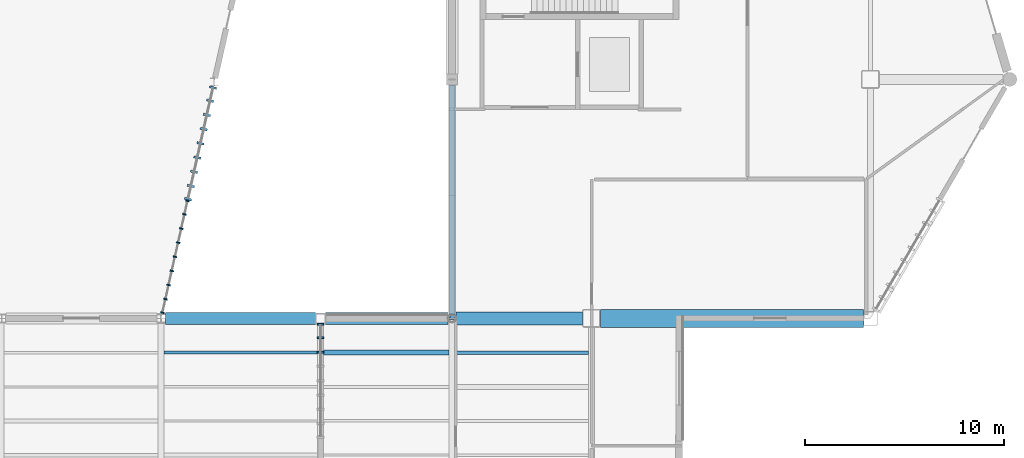
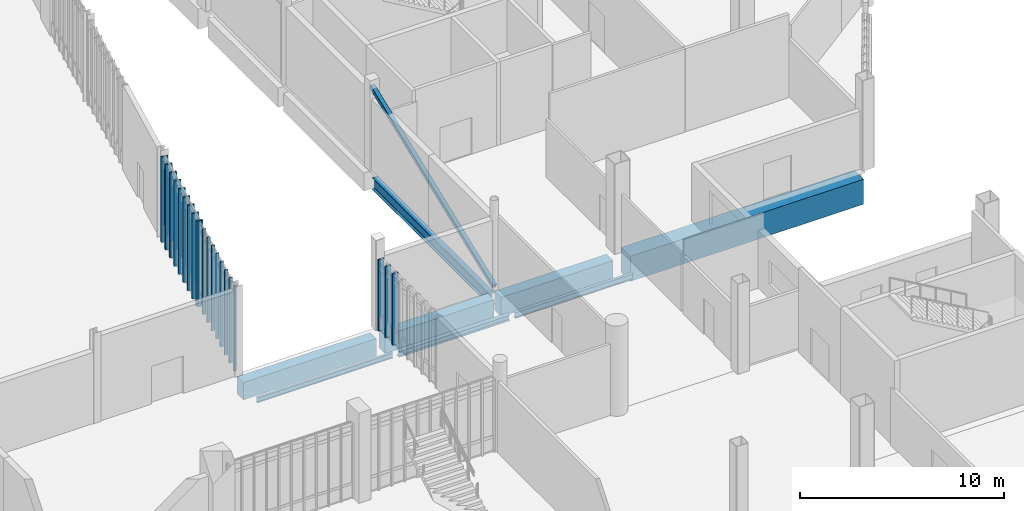
# One storey, part 28 of 111: 22 members, 8 beams, 3 elements without a shape of their own.
"""IFC4 building model written with IfcOpenShell, lengths in metres."""

from ifc_helpers import new_model, si_unit, direction, frame, origin, origin_2d, place, context, subcontext, project, spatial, rectangle, hollow_rectangle, i_section, extrude, material, material_profile, profile_set, type_object, element, aggregate, save


model = new_model("IFC4")

# Units and contexts
model_context = context("Model", 3, precision=1e-05, world=origin(), true_north=direction((0.0, 1.0)))
body_context = subcontext(model_context, "Body", "Model", "MODEL_VIEW")
ifc_project = project(units=[si_unit("LENGTHUNIT", "METRE"), si_unit("AREAUNIT", "SQUARE_METRE"), si_unit("VOLUMEUNIT", "CUBIC_METRE"), si_unit("PLANEANGLEUNIT", "RADIAN"), si_unit("MASSUNIT", "GRAM", prefix="KILO")], contexts=[model_context])

# Site, building, storey
site_placement = place(None, origin())
site = spatial("IfcSite", under=ifc_project, at=site_placement, CompositionType="ELEMENT")
building_placement = place(site_placement, origin())
building = spatial("IfcBuilding", under=site, at=building_placement, Name="Larkvane Passage Sports Hall", CompositionType="ELEMENT")
storey_placement = place(building_placement, origin())
storey = spatial("IfcBuildingStorey", under=building, at=storey_placement, Name="L00", CompositionType="ELEMENT", Elevation=0.0)

# Beams
ifc_material_1 = material(Name="Concrete C50/60", Category="concrete")
ifc_material_profile_1 = material_profile(ifc_material_1, rectangle(XDim=0.60009765625, YDim=1.050048828125, at=origin_2d()), Name="RC-BM-600x1050")
ifc_profile_set_1 = profile_set([ifc_material_profile_1], Name="Concrete C50/60")
beam_type_1 = type_object("IfcBeamType", Name="BM-RC-600x1050", PredefinedType="BEAM", material=ifc_profile_set_1)
beam_1_placement = place(storey_placement, frame((110.20849609375, 63.60009765625, -0.945068359375), z_axis=(1.0, 0.0, 0.0), x_axis=(0.0, 1.0, 0.0)))
element("IfcBeam", 1, at=beam_1_placement, inside=storey, type_object=beam_type_1, Name="Girder BM5-X-L00-H-0049", PredefinedType="BEAM", context=body_context, shape_type="SweptSolid", body=[
    extrude(rectangle(XDim=0.60009765625, YDim=1.050048828125, at=origin_2d()), origin(), (0.0, 0.0, 1.0), 7.54150390625),
])
ifc_material_profile_2 = material_profile(ifc_material_1, rectangle(XDim=0.60009765625, YDim=1.10009765625, at=origin_2d()), Name="RC-BM-600x1100")
ifc_profile_set_2 = profile_set([ifc_material_profile_2], Name="Concrete C50/60")
beam_type_2 = type_object("IfcBeamType", Name="BM-RC-600x1100", PredefinedType="BEAM", material=ifc_profile_set_2)
beam_2_placement = place(storey_placement, frame((118.25, 63.60009765625, -0.969970703125), z_axis=(1.0, 0.0, 0.0), x_axis=(0.0, 1.0, 0.0)))
element("IfcBeam", 2, at=beam_2_placement, inside=storey, type_object=beam_type_2, Name="Girder BM5-X-L00-H-0050", PredefinedType="BEAM", context=body_context, shape_type="SweptSolid", body=[
    extrude(rectangle(XDim=0.60009765625, YDim=1.10009765625, at=origin_2d()), origin(), (0.0, 0.0, 1.0), 6.146728515625),
])
ifc_material_profile_3 = material_profile(ifc_material_1, rectangle(XDim=0.64990234375, YDim=1.14990234375, at=origin_2d()), Name="RC-BM-650x1150")
ifc_profile_set_3 = profile_set([ifc_material_profile_3], Name="Concrete C50/60")
beam_type_3 = type_object("IfcBeamType", Name="BM-RC-650x1150", PredefinedType="BEAM", material=ifc_profile_set_3)
beam_3_placement = place(storey_placement, frame((124.80322265625, 63.60009765625, -0.9951171875), z_axis=(1.0, 0.0, 0.0), x_axis=(0.0, 1.0, 0.0)))
element("IfcBeam", 3, at=beam_3_placement, inside=storey, type_object=beam_type_3, Name="Girder BM5-X-L00-H-0051", PredefinedType="BEAM", context=body_context, shape_type="SweptSolid", body=[
    extrude(rectangle(XDim=0.64990234375, YDim=1.14990234375, at=origin_2d()), origin(), (0.0, 0.0, 1.0), 6.3466796875),
])
ifc_material_2 = material(Name="Steel S460N", Category="steel")
ifc_material_profile_4 = material_profile(ifc_material_2, i_section(OverallWidth=0.300048828125, OverallDepth=0.699951171875, WebThickness=0.012939453125, FlangeThickness=0.02392578125, FilletRadius=0.02197265625, at=origin_2d()), Name="H-700x300x13x24")
ifc_profile_set_4 = profile_set([ifc_material_profile_4], Name="Steel S460N")
beam_type_4 = type_object("IfcBeamType", Name="BM-STL-H700", PredefinedType="BEAM", material=ifc_profile_set_4)
beam_4_placement = place(storey_placement, frame((124.60009765625, 63.80322265625, -0.77001953125), z_axis=(0.0, 1.0, 0.0), x_axis=(-1.0, 0.0, 0.0)))
element("IfcBeam", 4, at=beam_4_placement, inside=storey, type_object=beam_type_4, Name="Girder BM5-Y-L00-17-0127", PredefinedType="BEAM", context=body_context, shape_type="SweptSolid", body=[
    extrude(i_section(OverallWidth=0.300048828125, OverallDepth=0.699951171875, WebThickness=0.012939453125, FlangeThickness=0.02392578125, FilletRadius=0.02197265625, at=origin_2d()), origin(), (0.0, 0.0, 1.0), 11.521728515625),
])

# Curtain wall, members
ifc_material_3 = material(Name="Thermally broken aluminium and low-E glazing", Category="aluminium")
curtain_wall_type_1 = type_object("IfcCurtainWallType", Name="CW-CLINIC", PredefinedType="USERDEFINED", material=ifc_material_3)
curtain_wall_1_placement = place(storey_placement, origin())
curtain_wall_1 = element("IfcCurtainWall", 5, at=curtain_wall_1_placement, inside=storey, type_object=curtain_wall_type_1, Name="Curtain wall CW5-L00-019", ObjectType="UNITISED CURTAIN WALL", PredefinedType="USERDEFINED")
ifc_material_4 = material(Name="Anodised aluminium 6063-T6", Category="aluminium")
ifc_material_profile_5 = material_profile(ifc_material_4, rectangle(XDim=0.10009765625, YDim=0.320068359375, at=origin_2d()), Name="ALU-MUL-100x320")
ifc_profile_set_5 = profile_set([ifc_material_profile_5], Name="Anodised aluminium 6063-T6")
member_type_1 = type_object("IfcMemberType", Name="CW-MUL-100x320", PredefinedType="MULLION", material=ifc_profile_set_5)
member_1_placement = place(storey_placement, frame((118.0, 61.91552734375, 0.0), z_axis=(0.0, 0.0, 1.0), x_axis=(0.0, 1.0, 0.0)))
member_1 = element("IfcMember", 6, at=member_1_placement, type_object=member_type_1, Name="CW-05 mullion 7", PredefinedType="MULLION", context=body_context, shape_type="SweptSolid", body=[
    extrude(rectangle(XDim=0.10009765625, YDim=0.320068359375, at=origin_2d()), origin(), (0.0, 0.0, 1.0), 4.26806640625),
])
member_2_placement = place(storey_placement, frame((118.0, 62.634765625, 0.0), z_axis=(0.0, 0.0, 1.0), x_axis=(0.0, 1.0, 0.0)))
member_2 = element("IfcMember", 7, at=member_2_placement, type_object=member_type_1, Name="CW-05 mullion 8", PredefinedType="MULLION", context=body_context, shape_type="SweptSolid", body=[
    extrude(rectangle(XDim=0.10009765625, YDim=0.320068359375, at=origin_2d()), origin(), (0.0, 0.0, 1.0), 4.26806640625),
])
member_3_placement = place(storey_placement, frame((118.0, 63.303955078125, 0.0), z_axis=(0.0, 0.0, 1.0), x_axis=(0.0, 1.0, 0.0)))
member_3 = element("IfcMember", 8, at=member_3_placement, type_object=member_type_1, Name="CW-05 mullion 9", PredefinedType="MULLION", context=body_context, shape_type="SweptSolid", body=[
    extrude(rectangle(XDim=0.10009765625, YDim=0.320068359375, at=origin_2d()), origin(), (0.0, 0.0, 1.0), 4.26806640625),
])
aggregate(curtain_wall_1, [member_1, member_2, member_3])

curtain_wall_2_placement = place(storey_placement, origin())
curtain_wall_2 = element("IfcCurtainWall", 9, at=curtain_wall_2_placement, inside=storey, type_object=curtain_wall_type_1, Name="Curtain wall CW5-L00-015", ObjectType="UNITISED CURTAIN WALL", PredefinedType="USERDEFINED")
ifc_material_profile_6 = material_profile(ifc_material_4, rectangle(XDim=0.110107421875, YDim=0.360107421875, at=origin_2d()), Name="ALU-MUL-110x360")
ifc_profile_set_6 = profile_set([ifc_material_profile_6], Name="Anodised aluminium 6063-T6")
member_type_2 = type_object("IfcMemberType", Name="CW-MUL-110x360", PredefinedType="MULLION", material=ifc_profile_set_6)
member_4_placement = place(storey_placement, frame((112.60400390625, 75.187744140625, 0.0), z_axis=(0.0, 0.0, 1.0), x_axis=(-0.219243647747, -0.975670140428, 0.0)))
member_4 = element("IfcMember", 10, at=member_4_placement, type_object=member_type_2, Name="CW-05 mullion 1", PredefinedType="MULLION", context=body_context, shape_type="SweptSolid", body=[
    extrude(rectangle(XDim=0.110107421875, YDim=0.360107421875, at=origin_2d()), origin(), (0.0, 0.0, 1.0), 5.10009765625),
])
member_5_placement = place(storey_placement, frame((112.455810546875, 74.528076171875, 0.0), z_axis=(0.0, 0.0, 1.0), x_axis=(-0.219243647747, -0.975670140428, 0.0)))
member_5 = element("IfcMember", 11, at=member_5_placement, type_object=member_type_2, Name="CW-05 mullion 2", PredefinedType="MULLION", context=body_context, shape_type="SweptSolid", body=[
    extrude(rectangle(XDim=0.110107421875, YDim=0.360107421875, at=origin_2d()), origin(), (0.0, 0.0, 1.0), 5.10009765625),
])
member_6_placement = place(storey_placement, frame((112.29541015625, 73.814697265625, 0.0), z_axis=(0.0, 0.0, 1.0), x_axis=(-0.219243647747, -0.975670140428, 0.0)))
member_6 = element("IfcMember", 12, at=member_6_placement, type_object=member_type_2, Name="CW-05 mullion 3", PredefinedType="MULLION", context=body_context, shape_type="SweptSolid", body=[
    extrude(rectangle(XDim=0.110107421875, YDim=0.360107421875, at=origin_2d()), origin(), (0.0, 0.0, 1.0), 5.10009765625),
])
member_7_placement = place(storey_placement, frame((112.13525390625, 73.1015625, 0.0), z_axis=(0.0, 0.0, 1.0), x_axis=(-0.219243647747, -0.975670140428, 0.0)))
member_7 = element("IfcMember", 13, at=member_7_placement, type_object=member_type_2, Name="CW-05 mullion 4", PredefinedType="MULLION", context=body_context, shape_type="SweptSolid", body=[
    extrude(rectangle(XDim=0.110107421875, YDim=0.360107421875, at=origin_2d()), origin(), (0.0, 0.0, 1.0), 5.10009765625),
])
member_8_placement = place(storey_placement, frame((111.974853515625, 72.38818359375, 0.0), z_axis=(0.0, 0.0, 1.0), x_axis=(-0.219243647747, -0.975670140428, 0.0)))
member_8 = element("IfcMember", 14, at=member_8_placement, type_object=member_type_2, Name="CW-05 mullion 5", PredefinedType="MULLION", context=body_context, shape_type="SweptSolid", body=[
    extrude(rectangle(XDim=0.110107421875, YDim=0.360107421875, at=origin_2d()), origin(), (0.0, 0.0, 1.0), 5.10009765625),
])
member_9_placement = place(storey_placement, frame((111.814697265625, 71.675048828125, 0.0), z_axis=(0.0, 0.0, 1.0), x_axis=(-0.219243647747, -0.975670140428, 0.0)))
member_9 = element("IfcMember", 15, at=member_9_placement, type_object=member_type_2, Name="CW-05 mullion 6", PredefinedType="MULLION", context=body_context, shape_type="SweptSolid", body=[
    extrude(rectangle(XDim=0.110107421875, YDim=0.360107421875, at=origin_2d()), origin(), (0.0, 0.0, 1.0), 5.10009765625),
])
member_10_placement = place(storey_placement, frame((111.654296875, 70.9619140625, 0.0), z_axis=(0.0, 0.0, 1.0), x_axis=(-0.219243647747, -0.975670140428, 0.0)))
member_10 = element("IfcMember", 16, at=member_10_placement, type_object=member_type_2, Name="CW-05 mullion 7", PredefinedType="MULLION", context=body_context, shape_type="SweptSolid", body=[
    extrude(rectangle(XDim=0.110107421875, YDim=0.360107421875, at=origin_2d()), origin(), (0.0, 0.0, 1.0), 5.10009765625),
])
member_11_placement = place(storey_placement, frame((111.494140625, 70.24853515625, 0.0), z_axis=(0.0, 0.0, 1.0), x_axis=(-0.219243647747, -0.975670140428, 0.0)))
member_11 = element("IfcMember", 17, at=member_11_placement, type_object=member_type_2, Name="CW-05 mullion 8", PredefinedType="MULLION", context=body_context, shape_type="SweptSolid", body=[
    extrude(rectangle(XDim=0.110107421875, YDim=0.360107421875, at=origin_2d()), origin(), (0.0, 0.0, 1.0), 5.10009765625),
])
member_12_placement = place(storey_placement, frame((111.345947265625, 69.5888671875, 0.0), z_axis=(0.0, 0.0, 1.0), x_axis=(-0.219243647747, -0.975670140428, 0.0)))
member_12 = element("IfcMember", 18, at=member_12_placement, type_object=member_type_2, Name="CW-05 mullion 9", PredefinedType="MULLION", context=body_context, shape_type="SweptSolid", body=[
    extrude(rectangle(XDim=0.110107421875, YDim=0.360107421875, at=origin_2d()), origin(), (0.0, 0.0, 1.0), 5.10009765625),
])
aggregate(curtain_wall_2, [member_4, member_5, member_6, member_7, member_8, member_9, member_10, member_11, member_12])

curtain_wall_type_2 = type_object("IfcCurtainWallType", Name="CW-UNIT-COURT", PredefinedType="USERDEFINED", material=ifc_material_3)
curtain_wall_3_placement = place(storey_placement, origin())
curtain_wall_3 = element("IfcCurtainWall", 19, at=curtain_wall_3_placement, inside=storey, type_object=curtain_wall_type_2, Name="Curtain wall CW5-L00-016", ObjectType="UNITISED CURTAIN WALL", PredefinedType="USERDEFINED")
ifc_material_profile_7 = material_profile(ifc_material_4, rectangle(XDim=0.06494140625, YDim=0.179931640625, at=origin_2d()), Name="ALU-MUL-65x180")
ifc_profile_set_7 = profile_set([ifc_material_profile_7], Name="Anodised aluminium 6063-T6")
member_type_3 = type_object("IfcMemberType", Name="CW-MUL-65x180", PredefinedType="MULLION", material=ifc_profile_set_7)
member_13_placement = place(storey_placement, frame((111.32666015625, 69.503662109375, 0.0), z_axis=(0.0, 0.0, 1.0), x_axis=(-0.219261072284, -0.975666224782, 0.0)))
member_13 = element("IfcMember", 20, at=member_13_placement, type_object=member_type_3, Name="CW-01 mullion 1", PredefinedType="MULLION", context=body_context, shape_type="SweptSolid", body=[
    extrude(rectangle(XDim=0.06494140625, YDim=0.179931640625, at=origin_2d()), origin(), (0.0, 0.0, 1.0), 5.10009765625),
])
member_14_placement = place(storey_placement, frame((111.17431640625, 68.82568359375, 0.0), z_axis=(0.0, 0.0, 1.0), x_axis=(-0.219261072284, -0.975666224782, 0.0)))
member_14 = element("IfcMember", 21, at=member_14_placement, type_object=member_type_3, Name="CW-01 mullion 2", PredefinedType="MULLION", context=body_context, shape_type="SweptSolid", body=[
    extrude(rectangle(XDim=0.06494140625, YDim=0.179931640625, at=origin_2d()), origin(), (0.0, 0.0, 1.0), 5.10009765625),
])
member_15_placement = place(storey_placement, frame((111.014892578125, 68.1162109375, 0.0), z_axis=(0.0, 0.0, 1.0), x_axis=(-0.219261072284, -0.975666224782, 0.0)))
member_15 = element("IfcMember", 22, at=member_15_placement, type_object=member_type_3, Name="CW-01 mullion 3", PredefinedType="MULLION", context=body_context, shape_type="SweptSolid", body=[
    extrude(rectangle(XDim=0.06494140625, YDim=0.179931640625, at=origin_2d()), origin(), (0.0, 0.0, 1.0), 5.10009765625),
])
member_16_placement = place(storey_placement, frame((110.85546875, 67.406494140625, 0.0), z_axis=(0.0, 0.0, 1.0), x_axis=(-0.219261072284, -0.975666224782, 0.0)))
member_16 = element("IfcMember", 23, at=member_16_placement, type_object=member_type_3, Name="CW-01 mullion 4", PredefinedType="MULLION", context=body_context, shape_type="SweptSolid", body=[
    extrude(rectangle(XDim=0.06494140625, YDim=0.179931640625, at=origin_2d()), origin(), (0.0, 0.0, 1.0), 5.10009765625),
])
member_17_placement = place(storey_placement, frame((110.696044921875, 66.697021484375, 0.0), z_axis=(0.0, 0.0, 1.0), x_axis=(-0.219261072284, -0.975666224782, 0.0)))
member_17 = element("IfcMember", 24, at=member_17_placement, type_object=member_type_3, Name="CW-01 mullion 5", PredefinedType="MULLION", context=body_context, shape_type="SweptSolid", body=[
    extrude(rectangle(XDim=0.06494140625, YDim=0.179931640625, at=origin_2d()), origin(), (0.0, 0.0, 1.0), 5.10009765625),
])
member_18_placement = place(storey_placement, frame((110.536376953125, 65.9873046875, 0.0), z_axis=(0.0, 0.0, 1.0), x_axis=(-0.219261072284, -0.975666224782, 0.0)))
member_18 = element("IfcMember", 25, at=member_18_placement, type_object=member_type_3, Name="CW-01 mullion 6", PredefinedType="MULLION", context=body_context, shape_type="SweptSolid", body=[
    extrude(rectangle(XDim=0.06494140625, YDim=0.179931640625, at=origin_2d()), origin(), (0.0, 0.0, 1.0), 5.10009765625),
])
member_19_placement = place(storey_placement, frame((110.376953125, 65.27783203125, 0.0), z_axis=(0.0, 0.0, 1.0), x_axis=(-0.219261072284, -0.975666224782, 0.0)))
member_19 = element("IfcMember", 26, at=member_19_placement, type_object=member_type_3, Name="CW-01 mullion 7", PredefinedType="MULLION", context=body_context, shape_type="SweptSolid", body=[
    extrude(rectangle(XDim=0.06494140625, YDim=0.179931640625, at=origin_2d()), origin(), (0.0, 0.0, 1.0), 5.10009765625),
])
member_20_placement = place(storey_placement, frame((110.217529296875, 64.568359375, 0.0), z_axis=(0.0, 0.0, 1.0), x_axis=(-0.219261072284, -0.975666224782, 0.0)))
member_20 = element("IfcMember", 27, at=member_20_placement, type_object=member_type_3, Name="CW-01 mullion 8", PredefinedType="MULLION", context=body_context, shape_type="SweptSolid", body=[
    extrude(rectangle(XDim=0.06494140625, YDim=0.179931640625, at=origin_2d()), origin(), (0.0, 0.0, 1.0), 5.10009765625),
])
member_21_placement = place(storey_placement, frame((110.065185546875, 63.890380859375, 0.0), z_axis=(0.0, 0.0, 1.0), x_axis=(-0.219261072284, -0.975666224782, 0.0)))
member_21 = element("IfcMember", 28, at=member_21_placement, type_object=member_type_3, Name="CW-01 mullion 9", PredefinedType="MULLION", context=body_context, shape_type="SweptSolid", body=[
    extrude(rectangle(XDim=0.06494140625, YDim=0.179931640625, at=origin_2d()), origin(), (0.0, 0.0, 1.0), 5.10009765625),
])
aggregate(curtain_wall_3, [member_13, member_14, member_15, member_16, member_17, member_18, member_19, member_20, member_21])

# Beams
ifc_material_5 = material(Name="Steel S355JR", Category="steel")
ifc_material_profile_8 = material_profile(ifc_material_5, i_section(OverallWidth=0.14990234375, OverallDepth=0.300048828125, WebThickness=0.006591796875, FlangeThickness=0.009033203125, FilletRadius=0.012939453125, at=origin_2d()), Name="H-300x150x6.5x9")
ifc_profile_set_8 = profile_set([ifc_material_profile_8], Name="Steel S355JR")
beam_type_5 = type_object("IfcBeamType", Name="JST-STL-H300", PredefinedType="JOIST", material=ifc_profile_set_8)
beam_5_placement = place(storey_placement, frame((110.14990234375, 61.8857421875, -0.570068359375), z_axis=(1.0, 0.0, 0.0), x_axis=(0.0, 1.0, 0.0)))
element("IfcBeam", 29, at=beam_5_placement, inside=storey, type_object=beam_type_5, Name="Composite joist L00 15/G-6", PredefinedType="JOIST", context=body_context, shape_type="SweptSolid", body=[
    extrude(i_section(OverallWidth=0.14990234375, OverallDepth=0.300048828125, WebThickness=0.006591796875, FlangeThickness=0.009033203125, FilletRadius=0.012939453125, at=origin_2d()), origin(), (0.0, 0.0, 1.0), 7.7001953125),
])
ifc_material_profile_9 = material_profile(ifc_material_5, i_section(OverallWidth=0.25, OverallDepth=0.340087890625, WebThickness=0.009033203125, FlangeThickness=0.013916015625, FilletRadius=0.012939453125, at=origin_2d()), Name="H-340x250x9x14")
ifc_profile_set_9 = profile_set([ifc_material_profile_9], Name="Steel S355JR")
beam_type_6 = type_object("IfcBeamType", Name="JST-STL-H340", PredefinedType="JOIST", material=ifc_profile_set_9)
beam_6_placement = place(storey_placement, frame((118.14990234375, 61.8857421875, -0.590087890625), z_axis=(1.0, 0.0, 0.0), x_axis=(0.0, 1.0, 0.0)))
element("IfcBeam", 30, at=beam_6_placement, inside=storey, type_object=beam_type_6, Name="Composite joist L00 16/G-6", PredefinedType="JOIST", context=body_context, shape_type="SweptSolid", body=[
    extrude(i_section(OverallWidth=0.25, OverallDepth=0.340087890625, WebThickness=0.009033203125, FlangeThickness=0.013916015625, FilletRadius=0.012939453125, at=origin_2d()), origin(), (0.0, 0.0, 1.0), 6.300048828125),
])
ifc_material_profile_10 = material_profile(ifc_material_5, i_section(OverallWidth=0.175048828125, OverallDepth=0.35009765625, WebThickness=0.007080078125, FlangeThickness=0.010986328125, FilletRadius=0.012939453125, at=origin_2d()), Name="H-350x175x7x11")
ifc_profile_set_10 = profile_set([ifc_material_profile_10], Name="Steel S355JR")
beam_type_7 = type_object("IfcBeamType", Name="JST-STL-H350", PredefinedType="JOIST", material=ifc_profile_set_10)
beam_7_placement = place(storey_placement, frame((124.75, 61.8857421875, -0.594970703125), z_axis=(1.0, 0.0, 0.0), x_axis=(0.0, 1.0, 0.0)))
element("IfcBeam", 31, at=beam_7_placement, inside=storey, type_object=beam_type_7, Name="Composite joist L00 17/G-6", PredefinedType="JOIST", context=body_context, shape_type="SweptSolid", body=[
    extrude(i_section(OverallWidth=0.175048828125, OverallDepth=0.35009765625, WebThickness=0.007080078125, FlangeThickness=0.010986328125, FilletRadius=0.012939453125, at=origin_2d()), origin(), (0.0, 0.0, 1.0), 6.699951171875),
])

# Member
ifc_material_profile_11 = material_profile(ifc_material_2, hollow_rectangle(XDim=0.25, YDim=0.25, WallThickness=0.011962890625, InnerFilletRadius=0.011962890625, OuterFilletRadius=0.02392578125, at=origin_2d()), Name="SHS-250x250x12")
ifc_profile_set_11 = profile_set([ifc_material_profile_11], Name="Steel S460N")
member_type_4 = type_object("IfcMemberType", Name="MBR-BR-SHS250", PredefinedType="BRACE", material=ifc_profile_set_11)
member_22_placement = place(storey_placement, frame((124.60009765625, 63.60009765625, 0.14990234375), z_axis=(0.0, 0.931123104416, 0.364705037561), x_axis=(-1.0, 0.0, 0.0)))
element("IfcMember", 32, at=member_22_placement, inside=storey, type_object=member_type_4, Name="Lateral frame brace L00-5", PredefinedType="BRACE", context=body_context, shape_type="SweptSolid", body=[
    extrude(hollow_rectangle(XDim=0.25, YDim=0.25, WallThickness=0.011962890625, InnerFilletRadius=0.011962890625, OuterFilletRadius=0.02392578125, at=origin_2d()), origin(), (0.0, 0.0, 1.0), 12.8876953125),
])

# Beam
ifc_material_profile_12 = material_profile(ifc_material_1, rectangle(XDim=0.89990234375, YDim=1.5, at=origin_2d()), Name="PT-GIR-900x1500")
ifc_profile_set_12 = profile_set([ifc_material_profile_12], Name="Concrete C50/60")
beam_type_8 = type_object("IfcBeamType", Name="PTG-900x1500", PredefinedType="BEAM", material=ifc_profile_set_12)
beam_8_placement = place(storey_placement, frame((132.050048828125, 63.60009765625, -1.169921875), z_axis=(1.0, 0.0, 0.0), x_axis=(0.0, 1.0, 0.0)))
element("IfcBeam", 33, at=beam_8_placement, inside=storey, type_object=beam_type_8, Name="Post-tensioned transfer girder BM5-X-L00-H-0052", PredefinedType="BEAM", context=body_context, shape_type="SweptSolid", body=[
    extrude(rectangle(XDim=0.89990234375, YDim=1.5, at=origin_2d()), origin(), (0.0, 0.0, 1.0), 13.199951171875),
])

save(model, "model.ifc")
